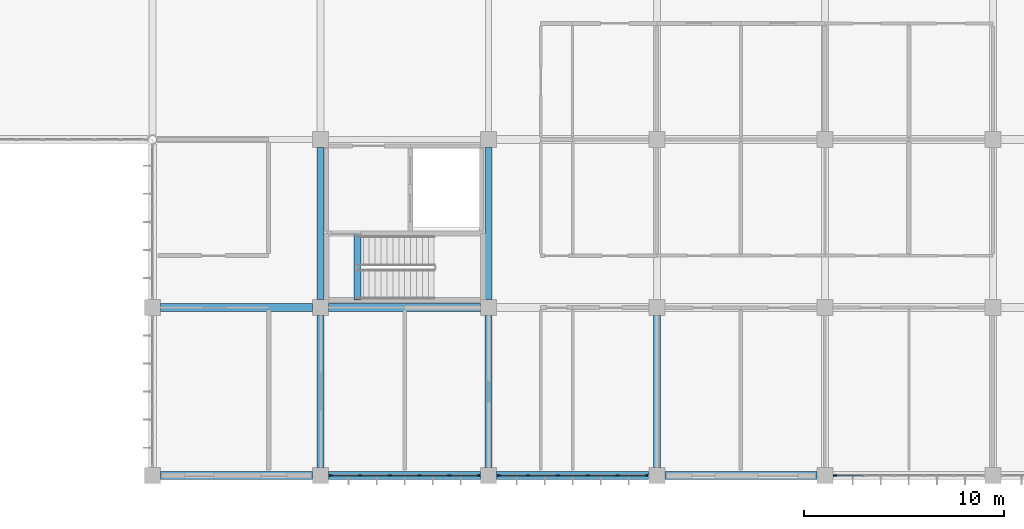
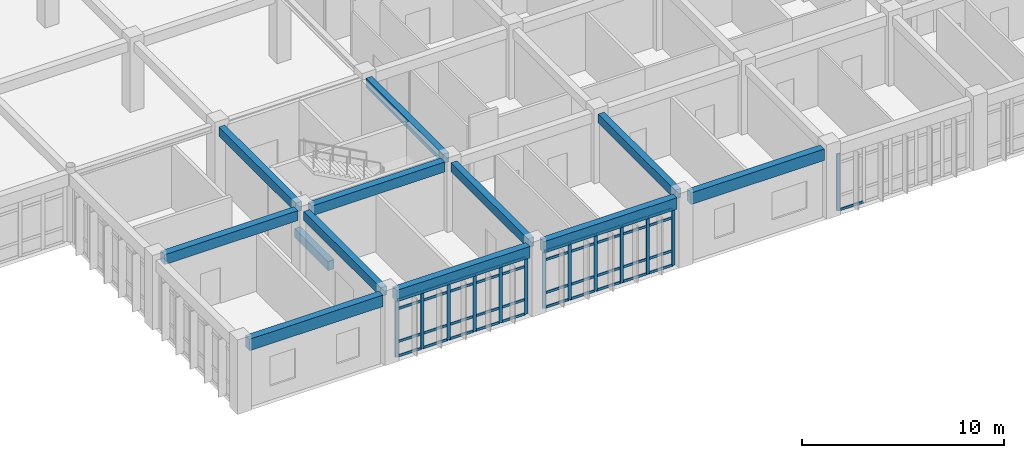
# One storey, part 25 of 144: 54 members, 12 beams, 3 elements without a shape of their own.
"""IFC4 building model written with IfcOpenShell, lengths in metres."""

from ifc_helpers import new_model, si_unit, direction, frame, origin, origin_2d, place, context, subcontext, project, spatial, rectangle, extrude, material, layer, layer_set, material_profile, profile_set, type_object, element, aggregate, save


model = new_model("IFC4")

# Units and contexts
model_context = context("Model", 3, precision=1e-05, world=origin(), true_north=direction((0.0, 1.0)))
body_context = subcontext(model_context, "Body", "Model", "MODEL_VIEW")
ifc_project = project(units=[si_unit("LENGTHUNIT", "METRE"), si_unit("AREAUNIT", "SQUARE_METRE"), si_unit("VOLUMEUNIT", "CUBIC_METRE"), si_unit("PLANEANGLEUNIT", "RADIAN"), si_unit("MASSUNIT", "GRAM", prefix="KILO")], contexts=[model_context])

# Site, building, storey
site_placement = place(None, origin())
site = spatial("IfcSite", under=ifc_project, at=site_placement, CompositionType="ELEMENT")
building_placement = place(site_placement, origin())
building = spatial("IfcBuilding", under=site, at=building_placement, Name="Bramfleet General Hospital", CompositionType="ELEMENT")
storey_placement = place(building_placement, frame((0.0, 0.0, 4.800048828125)))
storey = spatial("IfcBuildingStorey", under=building, at=storey_placement, Name="L01", CompositionType="ELEMENT", Elevation=4.800048828125)

# Beams
ifc_material_1 = material(Name="Concrete C35/45", Category="concrete")
ifc_material_profile_1 = material_profile(ifc_material_1, rectangle(XDim=0.35009765625, YDim=0.550048828125, at=origin_2d()), Name="RC BM 550x350")
ifc_profile_set_1 = profile_set([ifc_material_profile_1], Name="Concrete C35/45")
beam_type_1 = type_object("IfcBeamType", Name="BM-RC550", PredefinedType="BEAM", material=ifc_profile_set_1)
beam_1_placement = place(storey_placement, frame((100.800048828125, 0.39990234375, 3.875), z_axis=(0.0, 1.0, 0.0), x_axis=(-1.0, 0.0, 0.0)))
element("IfcBeam", 1, at=beam_1_placement, inside=storey, type_object=beam_type_1, Name="L01 Grid Beam Y 12-00", PredefinedType="BEAM", context=body_context, shape_type="SweptSolid", body=[
    extrude(rectangle(XDim=0.35009765625, YDim=0.550048828125, at=origin_2d()), origin(), (0.0, 0.0, 1.0), 7.60009765625),
])
beam_2_placement = place(storey_placement, frame((100.800048828125, 8.800048828125, 3.875), z_axis=(0.0, 1.0, 0.0), x_axis=(-1.0, 0.0, 0.0)))
element("IfcBeam", 2, at=beam_2_placement, inside=storey, type_object=beam_type_1, Name="L01 Grid Beam Y 12-01", PredefinedType="BEAM", context=body_context, shape_type="SweptSolid", body=[
    extrude(rectangle(XDim=0.35009765625, YDim=0.550048828125, at=origin_2d()), origin(), (0.0, 0.0, 1.0), 7.599853515625),
])
beam_3_placement = place(storey_placement, frame((109.199951171875, 0.39990234375, 3.875), z_axis=(0.0, 1.0, 0.0), x_axis=(-1.0, 0.0, 0.0)))
element("IfcBeam", 3, at=beam_3_placement, inside=storey, type_object=beam_type_1, Name="L01 Grid Beam Y 13-00", PredefinedType="BEAM", context=body_context, shape_type="SweptSolid", body=[
    extrude(rectangle(XDim=0.35009765625, YDim=0.550048828125, at=origin_2d()), origin(), (0.0, 0.0, 1.0), 7.60009765625),
])
beam_4_placement = place(storey_placement, frame((109.199951171875, 8.800048828125, 3.875), z_axis=(0.0, 1.0, 0.0), x_axis=(-1.0, 0.0, 0.0)))
element("IfcBeam", 4, at=beam_4_placement, inside=storey, type_object=beam_type_1, Name="L01 Grid Beam Y 13-01", PredefinedType="BEAM", context=body_context, shape_type="SweptSolid", body=[
    extrude(rectangle(XDim=0.35009765625, YDim=0.550048828125, at=origin_2d()), origin(), (0.0, 0.0, 1.0), 7.599853515625),
])
beam_5_placement = place(storey_placement, frame((117.60009765625, 0.39990234375, 3.875), z_axis=(0.0, 1.0, 0.0), x_axis=(-1.0, 0.0, 0.0)))
element("IfcBeam", 5, at=beam_5_placement, inside=storey, type_object=beam_type_1, Name="L01 Grid Beam Y 14-00", PredefinedType="BEAM", context=body_context, shape_type="SweptSolid", body=[
    extrude(rectangle(XDim=0.35009765625, YDim=0.550048828125, at=origin_2d()), origin(), (0.0, 0.0, 1.0), 7.60009765625),
])
beam_6_placement = place(storey_placement, frame((102.639892578125, 8.780029296875, -0.275146484375), z_axis=(0.0, 1.0, 0.0), x_axis=(-1.0, 0.0, 0.0)))
element("IfcBeam", 6, at=beam_6_placement, inside=storey, type_object=beam_type_1, Name="L01 C3 Stairwell Trimmer Beam", PredefinedType="BEAM", context=body_context, shape_type="SweptSolid", body=[
    extrude(rectangle(XDim=0.35009765625, YDim=0.550048828125, at=origin_2d()), origin(), (0.0, 0.0, 1.0), 3.320068359375),
])
ifc_material_profile_2 = material_profile(ifc_material_1, rectangle(XDim=0.39990234375, YDim=0.60009765625, at=origin_2d()), Name="RC BM 600x400")
ifc_profile_set_2 = profile_set([ifc_material_profile_2], Name="Concrete C35/45")
beam_type_2 = type_object("IfcBeamType", Name="BM-RC600", PredefinedType="BEAM", material=ifc_profile_set_2)
beam_7_placement = place(storey_placement, frame((92.800048828125, 8.39990234375, 3.849853515625), z_axis=(1.0, 0.0, 0.0), x_axis=(0.0, 1.0, 0.0)))
element("IfcBeam", 7, at=beam_7_placement, inside=storey, type_object=beam_type_2, Name="L01 Grid Beam X 11-01", PredefinedType="BEAM", context=body_context, shape_type="SweptSolid", body=[
    extrude(rectangle(XDim=0.39990234375, YDim=0.60009765625, at=origin_2d()), origin(), (0.0, 0.0, 1.0), 7.599853515625),
])
beam_8_placement = place(storey_placement, frame((101.199951171875, 8.39990234375, 3.849853515625), z_axis=(1.0, 0.0, 0.0), x_axis=(0.0, 1.0, 0.0)))
element("IfcBeam", 8, at=beam_8_placement, inside=storey, type_object=beam_type_2, Name="L01 Grid Beam X 12-01", PredefinedType="BEAM", context=body_context, shape_type="SweptSolid", body=[
    extrude(rectangle(XDim=0.39990234375, YDim=0.60009765625, at=origin_2d()), origin(), (0.0, 0.0, 1.0), 7.60009765625),
])
ifc_material_profile_3 = material_profile(ifc_material_1, rectangle(XDim=0.39990234375, YDim=0.699951171875, at=origin_2d()), Name="RC SP 700x400")
ifc_profile_set_3 = profile_set([ifc_material_profile_3], Name="Concrete C35/45")
beam_type_3 = type_object("IfcBeamType", Name="BM-SP700", PredefinedType="SPANDREL", material=ifc_profile_set_3)
beam_9_placement = place(storey_placement, frame((92.800048828125, 0.0, 3.800048828125), z_axis=(1.0, 0.0, 0.0), x_axis=(0.0, 1.0, 0.0)))
element("IfcBeam", 9, at=beam_9_placement, inside=storey, type_object=beam_type_3, Name="L01 Grid Beam X 11-00", PredefinedType="SPANDREL", context=body_context, shape_type="SweptSolid", body=[
    extrude(rectangle(XDim=0.39990234375, YDim=0.699951171875, at=origin_2d()), origin(), (0.0, 0.0, 1.0), 7.599853515625),
])
beam_10_placement = place(storey_placement, frame((101.199951171875, 0.0, 3.800048828125), z_axis=(1.0, 0.0, 0.0), x_axis=(0.0, 1.0, 0.0)))
element("IfcBeam", 10, at=beam_10_placement, inside=storey, type_object=beam_type_3, Name="L01 Grid Beam X 12-00", PredefinedType="SPANDREL", context=body_context, shape_type="SweptSolid", body=[
    extrude(rectangle(XDim=0.39990234375, YDim=0.699951171875, at=origin_2d()), origin(), (0.0, 0.0, 1.0), 7.60009765625),
])
beam_11_placement = place(storey_placement, frame((109.60009765625, 0.0, 3.800048828125), z_axis=(1.0, 0.0, 0.0), x_axis=(0.0, 1.0, 0.0)))
element("IfcBeam", 11, at=beam_11_placement, inside=storey, type_object=beam_type_3, Name="L01 Grid Beam X 13-00", PredefinedType="SPANDREL", context=body_context, shape_type="SweptSolid", body=[
    extrude(rectangle(XDim=0.39990234375, YDim=0.699951171875, at=origin_2d()), origin(), (0.0, 0.0, 1.0), 7.599853515625),
])
beam_12_placement = place(storey_placement, frame((118.0, 0.0, 3.800048828125), z_axis=(1.0, 0.0, 0.0), x_axis=(0.0, 1.0, 0.0)))
element("IfcBeam", 12, at=beam_12_placement, inside=storey, type_object=beam_type_3, Name="L01 Grid Beam X 14-00", PredefinedType="SPANDREL", context=body_context, shape_type="SweptSolid", body=[
    extrude(rectangle(XDim=0.39990234375, YDim=0.699951171875, at=origin_2d()), origin(), (0.0, 0.0, 1.0), 7.60009765625),
])

# Curtain wall, member
ifc_material_2 = material(Name="Anodised aluminium and low-E triple glazing", Category="aluminium")
ifc_layer_1 = layer(ifc_material_2, 0.179931640625, Name="CWT-CW-02")
ifc_layer_set_1 = layer_set([ifc_layer_1], Name="Anodised aluminium and low-E triple glazing")
curtain_wall_type_1 = type_object("IfcCurtainWallType", Name="CWT-CW-02", PredefinedType="USERDEFINED", material=ifc_layer_set_1)
curtain_wall_1_placement = place(storey_placement, origin())
curtain_wall_1 = element("IfcCurtainWall", 13, at=curtain_wall_1_placement, inside=storey, type_object=curtain_wall_type_1, Name="L01 Curtain Wall 74", ObjectType="Unitised curtain wall", PredefinedType="USERDEFINED")
ifc_material_3 = material(Name="Structural timber GL28h", Category="wood")
ifc_material_profile_4 = material_profile(ifc_material_3, rectangle(XDim=0.070068359375, YDim=0.18994140625, at=origin_2d()), Name="LARCH 190x70")
ifc_profile_set_4 = profile_set([ifc_material_profile_4], Name="Structural timber GL28h")
member_type_1 = type_object("IfcMemberType", Name="CWM-LARCH450", PredefinedType="MULLION", material=ifc_profile_set_4)
member_1_placement = place(storey_placement, frame((126.510009765625, 0.0, 0.0), z_axis=(0.0, 0.0, 1.0), x_axis=(0.0, -1.0, 0.0)))
member_1 = element("IfcMember", 14, at=member_1_placement, type_object=member_type_1, Name="CW-02 mullion 6", PredefinedType="MULLION", context=body_context, shape_type="SweptSolid", body=[
    extrude(rectangle(XDim=0.070068359375, YDim=0.18994140625, at=origin_2d()), origin(), (0.0, 0.0, 1.0), 3.43994140625),
])

# Curtain wall, members
ifc_layer_2 = layer(ifc_material_2, 0.179931640625, Name="CWT-CW-03")
ifc_layer_set_2 = layer_set([ifc_layer_2], Name="Anodised aluminium and low-E triple glazing")
curtain_wall_type_2 = type_object("IfcCurtainWallType", Name="CWT-CW-03", PredefinedType="USERDEFINED", material=ifc_layer_set_2)
curtain_wall_2_placement = place(storey_placement, origin())
curtain_wall_2 = element("IfcCurtainWall", 15, at=curtain_wall_2_placement, inside=storey, type_object=curtain_wall_type_2, Name="L01 Curtain Wall 75", ObjectType="Unitised curtain wall", PredefinedType="USERDEFINED")
member_2_placement = place(storey_placement, frame((117.090087890625, 0.0, 0.0), z_axis=(0.0, 0.0, 1.0), x_axis=(0.0, -1.0, 0.0)))
member_2 = element("IfcMember", 16, at=member_2_placement, type_object=member_type_1, Name="CW-03 mullion 1", PredefinedType="MULLION", context=body_context, shape_type="SweptSolid", body=[
    extrude(rectangle(XDim=0.070068359375, YDim=0.18994140625, at=origin_2d()), origin(), (0.0, 0.0, 1.0), 3.43994140625),
])
member_3_placement = place(storey_placement, frame((115.635009765625, 0.0, 0.0), z_axis=(0.0, 0.0, 1.0), x_axis=(0.0, -1.0, 0.0)))
member_3 = element("IfcMember", 17, at=member_3_placement, type_object=member_type_1, Name="CW-03 mullion 2", PredefinedType="MULLION", context=body_context, shape_type="SweptSolid", body=[
    extrude(rectangle(XDim=0.070068359375, YDim=0.18994140625, at=origin_2d()), origin(), (0.0, 0.0, 1.0), 3.43994140625),
])
member_4_placement = place(storey_placement, frame((114.14501953125, 0.0, 0.0), z_axis=(0.0, 0.0, 1.0), x_axis=(0.0, -1.0, 0.0)))
member_4 = element("IfcMember", 18, at=member_4_placement, type_object=member_type_1, Name="CW-03 mullion 3", PredefinedType="MULLION", context=body_context, shape_type="SweptSolid", body=[
    extrude(rectangle(XDim=0.070068359375, YDim=0.18994140625, at=origin_2d()), origin(), (0.0, 0.0, 1.0), 3.43994140625),
])
member_5_placement = place(storey_placement, frame((112.655029296875, 0.0, 0.0), z_axis=(0.0, 0.0, 1.0), x_axis=(0.0, -1.0, 0.0)))
member_5 = element("IfcMember", 19, at=member_5_placement, type_object=member_type_1, Name="CW-03 mullion 4", PredefinedType="MULLION", context=body_context, shape_type="SweptSolid", body=[
    extrude(rectangle(XDim=0.070068359375, YDim=0.18994140625, at=origin_2d()), origin(), (0.0, 0.0, 1.0), 3.43994140625),
])
member_6_placement = place(storey_placement, frame((111.1650390625, 0.0, 0.0), z_axis=(0.0, 0.0, 1.0), x_axis=(0.0, -1.0, 0.0)))
member_6 = element("IfcMember", 20, at=member_6_placement, type_object=member_type_1, Name="CW-03 mullion 5", PredefinedType="MULLION", context=body_context, shape_type="SweptSolid", body=[
    extrude(rectangle(XDim=0.070068359375, YDim=0.18994140625, at=origin_2d()), origin(), (0.0, 0.0, 1.0), 3.43994140625),
])
member_7_placement = place(storey_placement, frame((109.7099609375, 0.0, 0.0), z_axis=(0.0, 0.0, 1.0), x_axis=(0.0, -1.0, 0.0)))
member_7 = element("IfcMember", 21, at=member_7_placement, type_object=member_type_1, Name="CW-03 mullion 6", PredefinedType="MULLION", context=body_context, shape_type="SweptSolid", body=[
    extrude(rectangle(XDim=0.070068359375, YDim=0.18994140625, at=origin_2d()), origin(), (0.0, 0.0, 1.0), 3.43994140625),
])

ifc_layer_3 = layer(ifc_material_2, 0.179931640625, Name="CWT-CW-04")
ifc_layer_set_3 = layer_set([ifc_layer_3], Name="Anodised aluminium and low-E triple glazing")
curtain_wall_type_3 = type_object("IfcCurtainWallType", Name="CWT-CW-04", PredefinedType="USERDEFINED", material=ifc_layer_set_3)
curtain_wall_3_placement = place(storey_placement, origin())
curtain_wall_3 = element("IfcCurtainWall", 22, at=curtain_wall_3_placement, inside=storey, type_object=curtain_wall_type_3, Name="L01 Curtain Wall 76", ObjectType="Unitised curtain wall", PredefinedType="USERDEFINED")
member_8_placement = place(storey_placement, frame((108.68994140625, 0.0, 0.0), z_axis=(0.0, 0.0, 1.0), x_axis=(0.0, -1.0, 0.0)))
member_8 = element("IfcMember", 23, at=member_8_placement, type_object=member_type_1, Name="CW-04 mullion 1", PredefinedType="MULLION", context=body_context, shape_type="SweptSolid", body=[
    extrude(rectangle(XDim=0.070068359375, YDim=0.18994140625, at=origin_2d()), origin(), (0.0, 0.0, 1.0), 3.43994140625),
])
member_9_placement = place(storey_placement, frame((107.235107421875, 0.0, 0.0), z_axis=(0.0, 0.0, 1.0), x_axis=(0.0, -1.0, 0.0)))
member_9 = element("IfcMember", 24, at=member_9_placement, type_object=member_type_1, Name="CW-04 mullion 2", PredefinedType="MULLION", context=body_context, shape_type="SweptSolid", body=[
    extrude(rectangle(XDim=0.070068359375, YDim=0.18994140625, at=origin_2d()), origin(), (0.0, 0.0, 1.0), 3.43994140625),
])
member_10_placement = place(storey_placement, frame((105.7451171875, 0.0, 0.0), z_axis=(0.0, 0.0, 1.0), x_axis=(0.0, -1.0, 0.0)))
member_10 = element("IfcMember", 25, at=member_10_placement, type_object=member_type_1, Name="CW-04 mullion 3", PredefinedType="MULLION", context=body_context, shape_type="SweptSolid", body=[
    extrude(rectangle(XDim=0.070068359375, YDim=0.18994140625, at=origin_2d()), origin(), (0.0, 0.0, 1.0), 3.43994140625),
])
member_11_placement = place(storey_placement, frame((104.2548828125, 0.0, 0.0), z_axis=(0.0, 0.0, 1.0), x_axis=(0.0, -1.0, 0.0)))
member_11 = element("IfcMember", 26, at=member_11_placement, type_object=member_type_1, Name="CW-04 mullion 4", PredefinedType="MULLION", context=body_context, shape_type="SweptSolid", body=[
    extrude(rectangle(XDim=0.070068359375, YDim=0.18994140625, at=origin_2d()), origin(), (0.0, 0.0, 1.0), 3.43994140625),
])
member_12_placement = place(storey_placement, frame((102.764892578125, 0.0, 0.0), z_axis=(0.0, 0.0, 1.0), x_axis=(0.0, -1.0, 0.0)))
member_12 = element("IfcMember", 27, at=member_12_placement, type_object=member_type_1, Name="CW-04 mullion 5", PredefinedType="MULLION", context=body_context, shape_type="SweptSolid", body=[
    extrude(rectangle(XDim=0.070068359375, YDim=0.18994140625, at=origin_2d()), origin(), (0.0, 0.0, 1.0), 3.43994140625),
])
member_13_placement = place(storey_placement, frame((101.31005859375, 0.0, 0.0), z_axis=(0.0, 0.0, 1.0), x_axis=(0.0, -1.0, 0.0)))
member_13 = element("IfcMember", 28, at=member_13_placement, type_object=member_type_1, Name="CW-04 mullion 6", PredefinedType="MULLION", context=body_context, shape_type="SweptSolid", body=[
    extrude(rectangle(XDim=0.070068359375, YDim=0.18994140625, at=origin_2d()), origin(), (0.0, 0.0, 1.0), 3.43994140625),
])

# Member
ifc_material_profile_5 = material_profile(ifc_material_3, rectangle(XDim=0.06494140625, YDim=0.14990234375, at=origin_2d()), Name="LARCH 150x65")
ifc_profile_set_5 = profile_set([ifc_material_profile_5], Name="Structural timber GL28h")
member_type_2 = type_object("IfcMemberType", Name="CWT-LARCH220", PredefinedType="USERDEFINED", material=ifc_profile_set_5)
member_14_placement = place(storey_placement, frame((127.929931640625, 0.0, 0.032470703125), z_axis=(-1.0, 0.0, 0.0), x_axis=(0.0, -1.0, 0.0)))
member_14 = element("IfcMember", 29, at=member_14_placement, type_object=member_type_2, Name="CW-02 transom 5.1", ObjectType="TRANSOM", PredefinedType="USERDEFINED", context=body_context, shape_type="SweptSolid", body=[
    extrude(rectangle(XDim=0.06494140625, YDim=0.14990234375, at=origin_2d()), origin(), (0.0, 0.0, 1.0), 1.385009765625),
])

aggregate(curtain_wall_1, [member_1, member_14])

member_15_placement = place(storey_placement, frame((117.054931640625, 0.0, 0.032470703125), z_axis=(-1.0, 0.0, 0.0), x_axis=(0.0, -1.0, 0.0)))
member_15 = element("IfcMember", 30, at=member_15_placement, type_object=member_type_2, Name="CW-03 transom 1.1", ObjectType="TRANSOM", PredefinedType="USERDEFINED", context=body_context, shape_type="SweptSolid", body=[
    extrude(rectangle(XDim=0.06494140625, YDim=0.14990234375, at=origin_2d()), origin(), (0.0, 0.0, 1.0), 1.385009765625),
])

member_16_placement = place(storey_placement, frame((117.054931640625, 0.0, 0.89990234375), z_axis=(-1.0, 0.0, 0.0), x_axis=(0.0, -1.0, 0.0)))
member_16 = element("IfcMember", 31, at=member_16_placement, type_object=member_type_2, Name="CW-03 transom 1.2", ObjectType="TRANSOM", PredefinedType="USERDEFINED", context=body_context, shape_type="SweptSolid", body=[
    extrude(rectangle(XDim=0.06494140625, YDim=0.14990234375, at=origin_2d()), origin(), (0.0, 0.0, 1.0), 1.385009765625),
])

member_17_placement = place(storey_placement, frame((117.054931640625, 0.0, 2.889892578125), z_axis=(-1.0, 0.0, 0.0), x_axis=(0.0, -1.0, 0.0)))
member_17 = element("IfcMember", 32, at=member_17_placement, type_object=member_type_2, Name="CW-03 transom 1.3", ObjectType="TRANSOM", PredefinedType="USERDEFINED", context=body_context, shape_type="SweptSolid", body=[
    extrude(rectangle(XDim=0.06494140625, YDim=0.14990234375, at=origin_2d()), origin(), (0.0, 0.0, 1.0), 1.385009765625),
])

member_18_placement = place(storey_placement, frame((117.054931640625, 0.0, 3.407470703125), z_axis=(-1.0, 0.0, 0.0), x_axis=(0.0, -1.0, 0.0)))
member_18 = element("IfcMember", 33, at=member_18_placement, type_object=member_type_2, Name="CW-03 transom 1.4", ObjectType="TRANSOM", PredefinedType="USERDEFINED", context=body_context, shape_type="SweptSolid", body=[
    extrude(rectangle(XDim=0.06494140625, YDim=0.14990234375, at=origin_2d()), origin(), (0.0, 0.0, 1.0), 1.385009765625),
])

member_19_placement = place(storey_placement, frame((115.60009765625, 0.0, 0.032470703125), z_axis=(-1.0, 0.0, 0.0), x_axis=(0.0, -1.0, 0.0)))
member_19 = element("IfcMember", 34, at=member_19_placement, type_object=member_type_2, Name="CW-03 transom 2.1", ObjectType="TRANSOM", PredefinedType="USERDEFINED", context=body_context, shape_type="SweptSolid", body=[
    extrude(rectangle(XDim=0.06494140625, YDim=0.14990234375, at=origin_2d()), origin(), (0.0, 0.0, 1.0), 1.420166015625),
])

member_20_placement = place(storey_placement, frame((115.60009765625, 0.0, 0.89990234375), z_axis=(-1.0, 0.0, 0.0), x_axis=(0.0, -1.0, 0.0)))
member_20 = element("IfcMember", 35, at=member_20_placement, type_object=member_type_2, Name="CW-03 transom 2.2", ObjectType="TRANSOM", PredefinedType="USERDEFINED", context=body_context, shape_type="SweptSolid", body=[
    extrude(rectangle(XDim=0.06494140625, YDim=0.14990234375, at=origin_2d()), origin(), (0.0, 0.0, 1.0), 1.420166015625),
])

member_21_placement = place(storey_placement, frame((115.60009765625, 0.0, 2.889892578125), z_axis=(-1.0, 0.0, 0.0), x_axis=(0.0, -1.0, 0.0)))
member_21 = element("IfcMember", 36, at=member_21_placement, type_object=member_type_2, Name="CW-03 transom 2.3", ObjectType="TRANSOM", PredefinedType="USERDEFINED", context=body_context, shape_type="SweptSolid", body=[
    extrude(rectangle(XDim=0.06494140625, YDim=0.14990234375, at=origin_2d()), origin(), (0.0, 0.0, 1.0), 1.420166015625),
])

member_22_placement = place(storey_placement, frame((115.60009765625, 0.0, 3.407470703125), z_axis=(-1.0, 0.0, 0.0), x_axis=(0.0, -1.0, 0.0)))
member_22 = element("IfcMember", 37, at=member_22_placement, type_object=member_type_2, Name="CW-03 transom 2.4", ObjectType="TRANSOM", PredefinedType="USERDEFINED", context=body_context, shape_type="SweptSolid", body=[
    extrude(rectangle(XDim=0.06494140625, YDim=0.14990234375, at=origin_2d()), origin(), (0.0, 0.0, 1.0), 1.420166015625),
])

member_23_placement = place(storey_placement, frame((114.110107421875, 0.0, 0.032470703125), z_axis=(-1.0, 0.0, 0.0), x_axis=(0.0, -1.0, 0.0)))
member_23 = element("IfcMember", 38, at=member_23_placement, type_object=member_type_2, Name="CW-03 transom 3.1", ObjectType="TRANSOM", PredefinedType="USERDEFINED", context=body_context, shape_type="SweptSolid", body=[
    extrude(rectangle(XDim=0.06494140625, YDim=0.14990234375, at=origin_2d()), origin(), (0.0, 0.0, 1.0), 1.420166015625),
])

member_24_placement = place(storey_placement, frame((114.110107421875, 0.0, 0.89990234375), z_axis=(-1.0, 0.0, 0.0), x_axis=(0.0, -1.0, 0.0)))
member_24 = element("IfcMember", 39, at=member_24_placement, type_object=member_type_2, Name="CW-03 transom 3.2", ObjectType="TRANSOM", PredefinedType="USERDEFINED", context=body_context, shape_type="SweptSolid", body=[
    extrude(rectangle(XDim=0.06494140625, YDim=0.14990234375, at=origin_2d()), origin(), (0.0, 0.0, 1.0), 1.420166015625),
])

member_25_placement = place(storey_placement, frame((114.110107421875, 0.0, 2.889892578125), z_axis=(-1.0, 0.0, 0.0), x_axis=(0.0, -1.0, 0.0)))
member_25 = element("IfcMember", 40, at=member_25_placement, type_object=member_type_2, Name="CW-03 transom 3.3", ObjectType="TRANSOM", PredefinedType="USERDEFINED", context=body_context, shape_type="SweptSolid", body=[
    extrude(rectangle(XDim=0.06494140625, YDim=0.14990234375, at=origin_2d()), origin(), (0.0, 0.0, 1.0), 1.420166015625),
])

member_26_placement = place(storey_placement, frame((114.110107421875, 0.0, 3.407470703125), z_axis=(-1.0, 0.0, 0.0), x_axis=(0.0, -1.0, 0.0)))
member_26 = element("IfcMember", 41, at=member_26_placement, type_object=member_type_2, Name="CW-03 transom 3.4", ObjectType="TRANSOM", PredefinedType="USERDEFINED", context=body_context, shape_type="SweptSolid", body=[
    extrude(rectangle(XDim=0.06494140625, YDim=0.14990234375, at=origin_2d()), origin(), (0.0, 0.0, 1.0), 1.420166015625),
])

member_27_placement = place(storey_placement, frame((112.6201171875, 0.0, 0.032470703125), z_axis=(-1.0, 0.0, 0.0), x_axis=(0.0, -1.0, 0.0)))
member_27 = element("IfcMember", 42, at=member_27_placement, type_object=member_type_2, Name="CW-03 transom 4.1", ObjectType="TRANSOM", PredefinedType="USERDEFINED", context=body_context, shape_type="SweptSolid", body=[
    extrude(rectangle(XDim=0.06494140625, YDim=0.14990234375, at=origin_2d()), origin(), (0.0, 0.0, 1.0), 1.420166015625),
])

member_28_placement = place(storey_placement, frame((112.6201171875, 0.0, 0.89990234375), z_axis=(-1.0, 0.0, 0.0), x_axis=(0.0, -1.0, 0.0)))
member_28 = element("IfcMember", 43, at=member_28_placement, type_object=member_type_2, Name="CW-03 transom 4.2", ObjectType="TRANSOM", PredefinedType="USERDEFINED", context=body_context, shape_type="SweptSolid", body=[
    extrude(rectangle(XDim=0.06494140625, YDim=0.14990234375, at=origin_2d()), origin(), (0.0, 0.0, 1.0), 1.420166015625),
])

member_29_placement = place(storey_placement, frame((112.6201171875, 0.0, 2.889892578125), z_axis=(-1.0, 0.0, 0.0), x_axis=(0.0, -1.0, 0.0)))
member_29 = element("IfcMember", 44, at=member_29_placement, type_object=member_type_2, Name="CW-03 transom 4.3", ObjectType="TRANSOM", PredefinedType="USERDEFINED", context=body_context, shape_type="SweptSolid", body=[
    extrude(rectangle(XDim=0.06494140625, YDim=0.14990234375, at=origin_2d()), origin(), (0.0, 0.0, 1.0), 1.420166015625),
])

member_30_placement = place(storey_placement, frame((112.6201171875, 0.0, 3.407470703125), z_axis=(-1.0, 0.0, 0.0), x_axis=(0.0, -1.0, 0.0)))
member_30 = element("IfcMember", 45, at=member_30_placement, type_object=member_type_2, Name="CW-03 transom 4.4", ObjectType="TRANSOM", PredefinedType="USERDEFINED", context=body_context, shape_type="SweptSolid", body=[
    extrude(rectangle(XDim=0.06494140625, YDim=0.14990234375, at=origin_2d()), origin(), (0.0, 0.0, 1.0), 1.420166015625),
])

member_31_placement = place(storey_placement, frame((111.1298828125, 0.0, 0.032470703125), z_axis=(-1.0, 0.0, 0.0), x_axis=(0.0, -1.0, 0.0)))
member_31 = element("IfcMember", 46, at=member_31_placement, type_object=member_type_2, Name="CW-03 transom 5.1", ObjectType="TRANSOM", PredefinedType="USERDEFINED", context=body_context, shape_type="SweptSolid", body=[
    extrude(rectangle(XDim=0.06494140625, YDim=0.14990234375, at=origin_2d()), origin(), (0.0, 0.0, 1.0), 1.384765625),
])

member_32_placement = place(storey_placement, frame((111.1298828125, 0.0, 0.89990234375), z_axis=(-1.0, 0.0, 0.0), x_axis=(0.0, -1.0, 0.0)))
member_32 = element("IfcMember", 47, at=member_32_placement, type_object=member_type_2, Name="CW-03 transom 5.2", ObjectType="TRANSOM", PredefinedType="USERDEFINED", context=body_context, shape_type="SweptSolid", body=[
    extrude(rectangle(XDim=0.06494140625, YDim=0.14990234375, at=origin_2d()), origin(), (0.0, 0.0, 1.0), 1.384765625),
])

member_33_placement = place(storey_placement, frame((111.1298828125, 0.0, 2.889892578125), z_axis=(-1.0, 0.0, 0.0), x_axis=(0.0, -1.0, 0.0)))
member_33 = element("IfcMember", 48, at=member_33_placement, type_object=member_type_2, Name="CW-03 transom 5.3", ObjectType="TRANSOM", PredefinedType="USERDEFINED", context=body_context, shape_type="SweptSolid", body=[
    extrude(rectangle(XDim=0.06494140625, YDim=0.14990234375, at=origin_2d()), origin(), (0.0, 0.0, 1.0), 1.384765625),
])

member_34_placement = place(storey_placement, frame((111.1298828125, 0.0, 3.407470703125), z_axis=(-1.0, 0.0, 0.0), x_axis=(0.0, -1.0, 0.0)))
member_34 = element("IfcMember", 49, at=member_34_placement, type_object=member_type_2, Name="CW-03 transom 5.4", ObjectType="TRANSOM", PredefinedType="USERDEFINED", context=body_context, shape_type="SweptSolid", body=[
    extrude(rectangle(XDim=0.06494140625, YDim=0.14990234375, at=origin_2d()), origin(), (0.0, 0.0, 1.0), 1.384765625),
])

aggregate(curtain_wall_2, [member_2, member_3, member_4, member_5, member_6, member_7, member_15, member_16, member_17, member_18, member_19, member_20, member_21, member_22, member_23, member_24, member_25, member_26, member_27, member_28, member_29, member_30, member_31, member_32, member_33, member_34])

member_35_placement = place(storey_placement, frame((108.655029296875, 0.0, 0.032470703125), z_axis=(-1.0, 0.0, 0.0), x_axis=(0.0, -1.0, 0.0)))
member_35 = element("IfcMember", 50, at=member_35_placement, type_object=member_type_2, Name="CW-04 transom 1.1", ObjectType="TRANSOM", PredefinedType="USERDEFINED", context=body_context, shape_type="SweptSolid", body=[
    extrude(rectangle(XDim=0.06494140625, YDim=0.14990234375, at=origin_2d()), origin(), (0.0, 0.0, 1.0), 1.385009765625),
])

member_36_placement = place(storey_placement, frame((108.655029296875, 0.0, 0.89990234375), z_axis=(-1.0, 0.0, 0.0), x_axis=(0.0, -1.0, 0.0)))
member_36 = element("IfcMember", 51, at=member_36_placement, type_object=member_type_2, Name="CW-04 transom 1.2", ObjectType="TRANSOM", PredefinedType="USERDEFINED", context=body_context, shape_type="SweptSolid", body=[
    extrude(rectangle(XDim=0.06494140625, YDim=0.14990234375, at=origin_2d()), origin(), (0.0, 0.0, 1.0), 1.385009765625),
])

member_37_placement = place(storey_placement, frame((108.655029296875, 0.0, 2.889892578125), z_axis=(-1.0, 0.0, 0.0), x_axis=(0.0, -1.0, 0.0)))
member_37 = element("IfcMember", 52, at=member_37_placement, type_object=member_type_2, Name="CW-04 transom 1.3", ObjectType="TRANSOM", PredefinedType="USERDEFINED", context=body_context, shape_type="SweptSolid", body=[
    extrude(rectangle(XDim=0.06494140625, YDim=0.14990234375, at=origin_2d()), origin(), (0.0, 0.0, 1.0), 1.385009765625),
])

member_38_placement = place(storey_placement, frame((108.655029296875, 0.0, 3.407470703125), z_axis=(-1.0, 0.0, 0.0), x_axis=(0.0, -1.0, 0.0)))
member_38 = element("IfcMember", 53, at=member_38_placement, type_object=member_type_2, Name="CW-04 transom 1.4", ObjectType="TRANSOM", PredefinedType="USERDEFINED", context=body_context, shape_type="SweptSolid", body=[
    extrude(rectangle(XDim=0.06494140625, YDim=0.14990234375, at=origin_2d()), origin(), (0.0, 0.0, 1.0), 1.385009765625),
])

member_39_placement = place(storey_placement, frame((107.199951171875, 0.0, 0.032470703125), z_axis=(-1.0, 0.0, 0.0), x_axis=(0.0, -1.0, 0.0)))
member_39 = element("IfcMember", 54, at=member_39_placement, type_object=member_type_2, Name="CW-04 transom 2.1", ObjectType="TRANSOM", PredefinedType="USERDEFINED", context=body_context, shape_type="SweptSolid", body=[
    extrude(rectangle(XDim=0.06494140625, YDim=0.14990234375, at=origin_2d()), origin(), (0.0, 0.0, 1.0), 1.419921875),
])

member_40_placement = place(storey_placement, frame((107.199951171875, 0.0, 0.89990234375), z_axis=(-1.0, 0.0, 0.0), x_axis=(0.0, -1.0, 0.0)))
member_40 = element("IfcMember", 55, at=member_40_placement, type_object=member_type_2, Name="CW-04 transom 2.2", ObjectType="TRANSOM", PredefinedType="USERDEFINED", context=body_context, shape_type="SweptSolid", body=[
    extrude(rectangle(XDim=0.06494140625, YDim=0.14990234375, at=origin_2d()), origin(), (0.0, 0.0, 1.0), 1.419921875),
])

member_41_placement = place(storey_placement, frame((107.199951171875, 0.0, 2.889892578125), z_axis=(-1.0, 0.0, 0.0), x_axis=(0.0, -1.0, 0.0)))
member_41 = element("IfcMember", 56, at=member_41_placement, type_object=member_type_2, Name="CW-04 transom 2.3", ObjectType="TRANSOM", PredefinedType="USERDEFINED", context=body_context, shape_type="SweptSolid", body=[
    extrude(rectangle(XDim=0.06494140625, YDim=0.14990234375, at=origin_2d()), origin(), (0.0, 0.0, 1.0), 1.419921875),
])

member_42_placement = place(storey_placement, frame((107.199951171875, 0.0, 3.407470703125), z_axis=(-1.0, 0.0, 0.0), x_axis=(0.0, -1.0, 0.0)))
member_42 = element("IfcMember", 57, at=member_42_placement, type_object=member_type_2, Name="CW-04 transom 2.4", ObjectType="TRANSOM", PredefinedType="USERDEFINED", context=body_context, shape_type="SweptSolid", body=[
    extrude(rectangle(XDim=0.06494140625, YDim=0.14990234375, at=origin_2d()), origin(), (0.0, 0.0, 1.0), 1.419921875),
])

member_43_placement = place(storey_placement, frame((105.7099609375, 0.0, 0.032470703125), z_axis=(-1.0, 0.0, 0.0), x_axis=(0.0, -1.0, 0.0)))
member_43 = element("IfcMember", 58, at=member_43_placement, type_object=member_type_2, Name="CW-04 transom 3.1", ObjectType="TRANSOM", PredefinedType="USERDEFINED", context=body_context, shape_type="SweptSolid", body=[
    extrude(rectangle(XDim=0.06494140625, YDim=0.14990234375, at=origin_2d()), origin(), (0.0, 0.0, 1.0), 1.419921875),
])

member_44_placement = place(storey_placement, frame((105.7099609375, 0.0, 0.89990234375), z_axis=(-1.0, 0.0, 0.0), x_axis=(0.0, -1.0, 0.0)))
member_44 = element("IfcMember", 59, at=member_44_placement, type_object=member_type_2, Name="CW-04 transom 3.2", ObjectType="TRANSOM", PredefinedType="USERDEFINED", context=body_context, shape_type="SweptSolid", body=[
    extrude(rectangle(XDim=0.06494140625, YDim=0.14990234375, at=origin_2d()), origin(), (0.0, 0.0, 1.0), 1.419921875),
])

member_45_placement = place(storey_placement, frame((105.7099609375, 0.0, 2.889892578125), z_axis=(-1.0, 0.0, 0.0), x_axis=(0.0, -1.0, 0.0)))
member_45 = element("IfcMember", 60, at=member_45_placement, type_object=member_type_2, Name="CW-04 transom 3.3", ObjectType="TRANSOM", PredefinedType="USERDEFINED", context=body_context, shape_type="SweptSolid", body=[
    extrude(rectangle(XDim=0.06494140625, YDim=0.14990234375, at=origin_2d()), origin(), (0.0, 0.0, 1.0), 1.419921875),
])

member_46_placement = place(storey_placement, frame((105.7099609375, 0.0, 3.407470703125), z_axis=(-1.0, 0.0, 0.0), x_axis=(0.0, -1.0, 0.0)))
member_46 = element("IfcMember", 61, at=member_46_placement, type_object=member_type_2, Name="CW-04 transom 3.4", ObjectType="TRANSOM", PredefinedType="USERDEFINED", context=body_context, shape_type="SweptSolid", body=[
    extrude(rectangle(XDim=0.06494140625, YDim=0.14990234375, at=origin_2d()), origin(), (0.0, 0.0, 1.0), 1.419921875),
])

member_47_placement = place(storey_placement, frame((104.219970703125, 0.0, 0.032470703125), z_axis=(-1.0, 0.0, 0.0), x_axis=(0.0, -1.0, 0.0)))
member_47 = element("IfcMember", 62, at=member_47_placement, type_object=member_type_2, Name="CW-04 transom 4.1", ObjectType="TRANSOM", PredefinedType="USERDEFINED", context=body_context, shape_type="SweptSolid", body=[
    extrude(rectangle(XDim=0.06494140625, YDim=0.14990234375, at=origin_2d()), origin(), (0.0, 0.0, 1.0), 1.419921875),
])

member_48_placement = place(storey_placement, frame((104.219970703125, 0.0, 0.89990234375), z_axis=(-1.0, 0.0, 0.0), x_axis=(0.0, -1.0, 0.0)))
member_48 = element("IfcMember", 63, at=member_48_placement, type_object=member_type_2, Name="CW-04 transom 4.2", ObjectType="TRANSOM", PredefinedType="USERDEFINED", context=body_context, shape_type="SweptSolid", body=[
    extrude(rectangle(XDim=0.06494140625, YDim=0.14990234375, at=origin_2d()), origin(), (0.0, 0.0, 1.0), 1.419921875),
])

member_49_placement = place(storey_placement, frame((104.219970703125, 0.0, 2.889892578125), z_axis=(-1.0, 0.0, 0.0), x_axis=(0.0, -1.0, 0.0)))
member_49 = element("IfcMember", 64, at=member_49_placement, type_object=member_type_2, Name="CW-04 transom 4.3", ObjectType="TRANSOM", PredefinedType="USERDEFINED", context=body_context, shape_type="SweptSolid", body=[
    extrude(rectangle(XDim=0.06494140625, YDim=0.14990234375, at=origin_2d()), origin(), (0.0, 0.0, 1.0), 1.419921875),
])

member_50_placement = place(storey_placement, frame((104.219970703125, 0.0, 3.407470703125), z_axis=(-1.0, 0.0, 0.0), x_axis=(0.0, -1.0, 0.0)))
member_50 = element("IfcMember", 65, at=member_50_placement, type_object=member_type_2, Name="CW-04 transom 4.4", ObjectType="TRANSOM", PredefinedType="USERDEFINED", context=body_context, shape_type="SweptSolid", body=[
    extrude(rectangle(XDim=0.06494140625, YDim=0.14990234375, at=origin_2d()), origin(), (0.0, 0.0, 1.0), 1.419921875),
])

member_51_placement = place(storey_placement, frame((102.72998046875, 0.0, 0.032470703125), z_axis=(-1.0, 0.0, 0.0), x_axis=(0.0, -1.0, 0.0)))
member_51 = element("IfcMember", 66, at=member_51_placement, type_object=member_type_2, Name="CW-04 transom 5.1", ObjectType="TRANSOM", PredefinedType="USERDEFINED", context=body_context, shape_type="SweptSolid", body=[
    extrude(rectangle(XDim=0.06494140625, YDim=0.14990234375, at=origin_2d()), origin(), (0.0, 0.0, 1.0), 1.385009765625),
])

member_52_placement = place(storey_placement, frame((102.72998046875, 0.0, 0.89990234375), z_axis=(-1.0, 0.0, 0.0), x_axis=(0.0, -1.0, 0.0)))
member_52 = element("IfcMember", 67, at=member_52_placement, type_object=member_type_2, Name="CW-04 transom 5.2", ObjectType="TRANSOM", PredefinedType="USERDEFINED", context=body_context, shape_type="SweptSolid", body=[
    extrude(rectangle(XDim=0.06494140625, YDim=0.14990234375, at=origin_2d()), origin(), (0.0, 0.0, 1.0), 1.385009765625),
])

member_53_placement = place(storey_placement, frame((102.72998046875, 0.0, 2.889892578125), z_axis=(-1.0, 0.0, 0.0), x_axis=(0.0, -1.0, 0.0)))
member_53 = element("IfcMember", 68, at=member_53_placement, type_object=member_type_2, Name="CW-04 transom 5.3", ObjectType="TRANSOM", PredefinedType="USERDEFINED", context=body_context, shape_type="SweptSolid", body=[
    extrude(rectangle(XDim=0.06494140625, YDim=0.14990234375, at=origin_2d()), origin(), (0.0, 0.0, 1.0), 1.385009765625),
])

member_54_placement = place(storey_placement, frame((102.72998046875, 0.0, 3.407470703125), z_axis=(-1.0, 0.0, 0.0), x_axis=(0.0, -1.0, 0.0)))
member_54 = element("IfcMember", 69, at=member_54_placement, type_object=member_type_2, Name="CW-04 transom 5.4", ObjectType="TRANSOM", PredefinedType="USERDEFINED", context=body_context, shape_type="SweptSolid", body=[
    extrude(rectangle(XDim=0.06494140625, YDim=0.14990234375, at=origin_2d()), origin(), (0.0, 0.0, 1.0), 1.385009765625),
])

aggregate(curtain_wall_3, [member_8, member_9, member_10, member_11, member_12, member_13, member_35, member_36, member_37, member_38, member_39, member_40, member_41, member_42, member_43, member_44, member_45, member_46, member_47, member_48, member_49, member_50, member_51, member_52, member_53, member_54])

save(model, "model.ifc")
